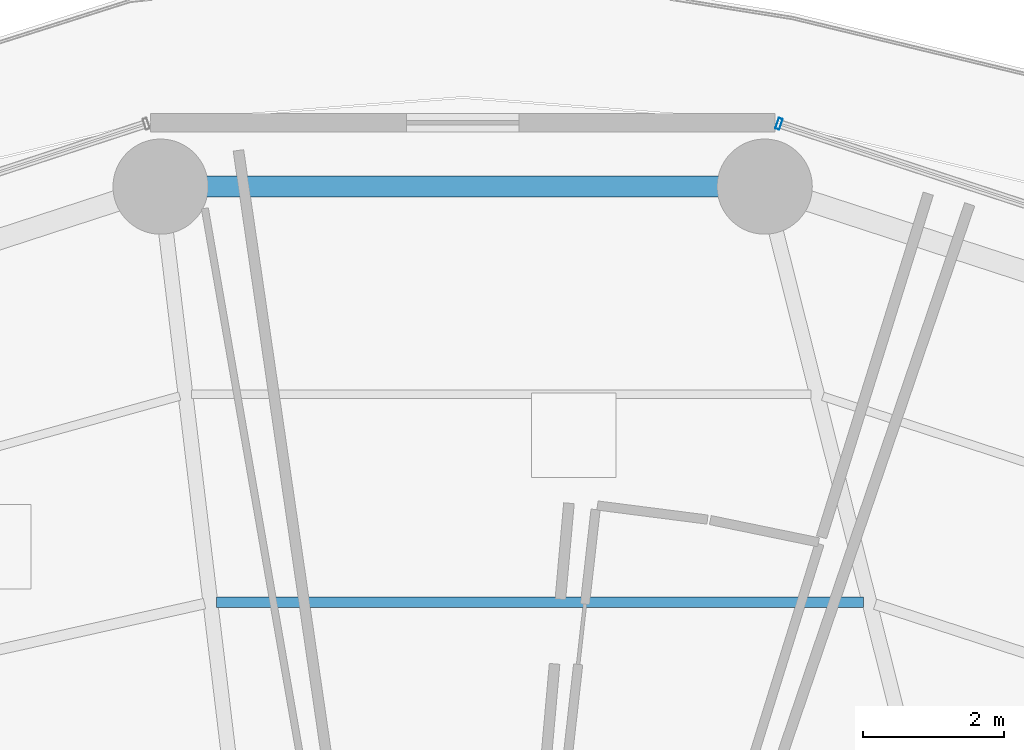
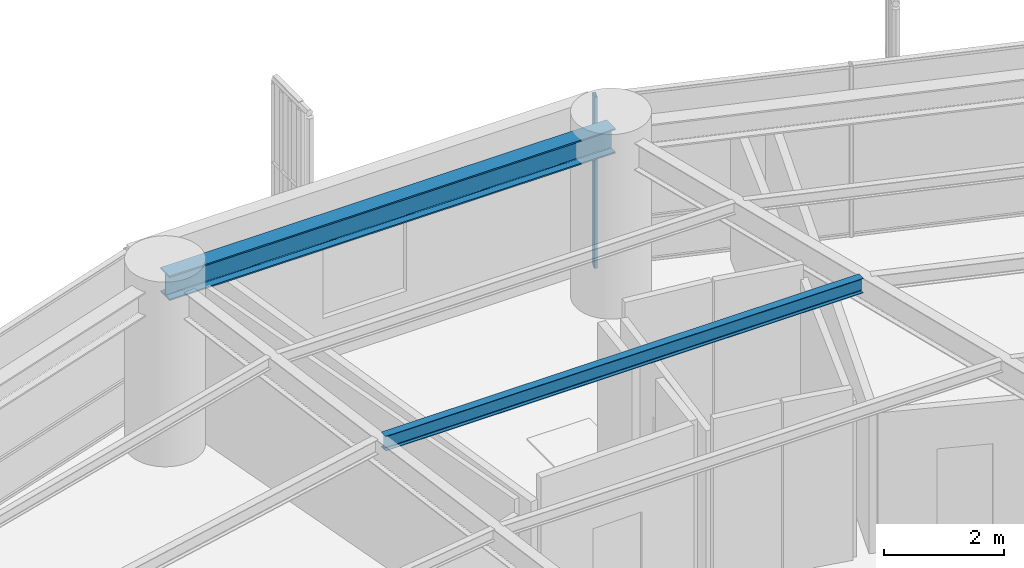
# One storey, part 22 of 35: 2 beams, 1 member, 1 element without a shape of its own.
"""IFC4 building model written with IfcOpenShell, lengths in metres."""

from ifc_helpers import new_model, si_unit, direction, frame, origin, origin_2d, place, context, subcontext, project, spatial, hollow_rectangle, i_section, extrude, material, layer, layer_set, material_profile, profile_set, type_object, element, aggregate, save


model = new_model("IFC4")

# Units and contexts
model_context = context("Model", 3, precision=1e-05, world=origin(), true_north=direction((0.0, 1.0)))
body_context = subcontext(model_context, "Body", "Model", "MODEL_VIEW")
ifc_project = project(units=[si_unit("LENGTHUNIT", "METRE"), si_unit("AREAUNIT", "SQUARE_METRE"), si_unit("VOLUMEUNIT", "CUBIC_METRE"), si_unit("PLANEANGLEUNIT", "RADIAN"), si_unit("MASSUNIT", "GRAM", prefix="KILO")], contexts=[model_context])

# Site, building, storey
site_placement = place(None, origin())
site = spatial("IfcSite", under=ifc_project, at=site_placement, CompositionType="ELEMENT")
building_placement = place(site_placement, origin())
building = spatial("IfcBuilding", under=site, at=building_placement, Name="Kelanora Arch Commons", CompositionType="ELEMENT")
storey_placement = place(building_placement, frame((0.0, 0.0, 95.10009765625)))
storey = spatial("IfcBuildingStorey", under=building, at=storey_placement, Name="L24", CompositionType="ELEMENT", Elevation=95.10009765625)

# Beams
ifc_material_1 = material(Name="Steel S355", Category="steel")
ifc_material_profile_1 = material_profile(ifc_material_1, i_section(OverallWidth=0.14990234375, OverallDepth=0.300048828125, WebThickness=0.007080078125, FlangeThickness=0.0107421875, FilletRadius=0.014892578125, at=origin_2d()), Name="IPE300")
ifc_profile_set_1 = profile_set([ifc_material_profile_1], Name="Steel S355")
beam_type_1 = type_object("IfcBeamType", Name="BM-JST-01", PredefinedType="JOIST", material=ifc_profile_set_1)
beam_1_placement = place(storey_placement, frame((79.686279296875, 73.8466796875, 3.33984375), z_axis=(-1.0, 0.0, 0.0), x_axis=(0.0, -1.0, 0.0)))
element("IfcBeam", 1, at=beam_1_placement, inside=storey, type_object=beam_type_1, Name="Secondary Chord Joist BJB-08 L24", PredefinedType="JOIST", context=body_context, shape_type="SweptSolid", body=[
    extrude(i_section(OverallWidth=0.14990234375, OverallDepth=0.300048828125, WebThickness=0.007080078125, FlangeThickness=0.0107421875, FilletRadius=0.014892578125, at=origin_2d()), origin(), (0.0, 0.0, 1.0), 9.1806640625),
])
ifc_material_profile_2 = material_profile(ifc_material_1, i_section(OverallWidth=0.300048828125, OverallDepth=0.5, WebThickness=0.014404296875, FlangeThickness=0.028076171875, FilletRadius=0.027099609375, at=origin_2d()), Name="HEB500")
ifc_profile_set_2 = profile_set([ifc_material_profile_2], Name="Steel S355")
beam_type_2 = type_object("IfcBeamType", Name="BM-SPN-Z2", PredefinedType="SPANDREL", material=ifc_profile_set_2)
beam_2_placement = place(storey_placement, frame((78.28564453125, 79.74462890625, 3.239990234375), z_axis=(-1.0, 0.0, 0.0), x_axis=(0.0, -1.0, 0.0)))
element("IfcBeam", 2, at=beam_2_placement, inside=storey, type_object=beam_type_2, Name="Perimeter Spandrel Beam BS-08 L24", PredefinedType="SPANDREL", context=body_context, shape_type="SweptSolid", body=[
    extrude(i_section(OverallWidth=0.300048828125, OverallDepth=0.5, WebThickness=0.014404296875, FlangeThickness=0.028076171875, FilletRadius=0.027099609375, at=origin_2d()), origin(), (0.0, 0.0, 1.0), 8.5712890625),
])

# Curtain wall, member
ifc_material_2 = material(Name="Terracotta ceramic-fritted low-E glass and aluminium", Category="masonry")
ifc_layer = layer(ifc_material_2, 0.159912109375)
ifc_layer_set = layer_set([ifc_layer], Name="Terracotta ceramic-fritted low-E glass and aluminium")
curtain_wall_type = type_object("IfcCurtainWallType", Name="CW-SYS-01", PredefinedType="NOTDEFINED", material=ifc_layer_set)
curtain_wall_placement = place(storey_placement, origin())
curtain_wall = element("IfcCurtainWall", 3, at=curtain_wall_placement, inside=storey, type_object=curtain_wall_type, Name="Unitised Curtain Wall L24-B03", PredefinedType="NOTDEFINED")
ifc_material_3 = material(Name="Powder-coated aluminium terracotta", Category="masonry")
ifc_material_profile_3 = material_profile(ifc_material_3, hollow_rectangle(XDim=0.159912109375, YDim=0.06005859375, WallThickness=0.0048828125, InnerFilletRadius=0.0048828125, OuterFilletRadius=0.010009765625, at=origin_2d()), Name="CWM160x60")
ifc_profile_set_3 = profile_set([ifc_material_profile_3], Name="Powder-coated aluminium terracotta")
member_type = type_object("IfcMemberType", Name="CWM-STD", PredefinedType="MULLION", material=ifc_profile_set_3)
member_placement = place(storey_placement, frame((78.48828125, 80.636474609375, 0.0), z_axis=(0.0, 0.0, 1.0), x_axis=(-0.31080470294, -0.950473795867, 0.0)))
member = element("IfcMember", 4, at=member_placement, type_object=member_type, Name="CW-01 mullion 3", PredefinedType="MULLION", context=body_context, shape_type="SweptSolid", body=[
    extrude(hollow_rectangle(XDim=0.159912109375, YDim=0.06005859375, WallThickness=0.0048828125, InnerFilletRadius=0.0048828125, OuterFilletRadius=0.010009765625, at=origin_2d()), origin(), (0.0, 0.0, 1.0), 3.474853515625),
])
aggregate(curtain_wall, [member])

save(model, "model.ifc")
